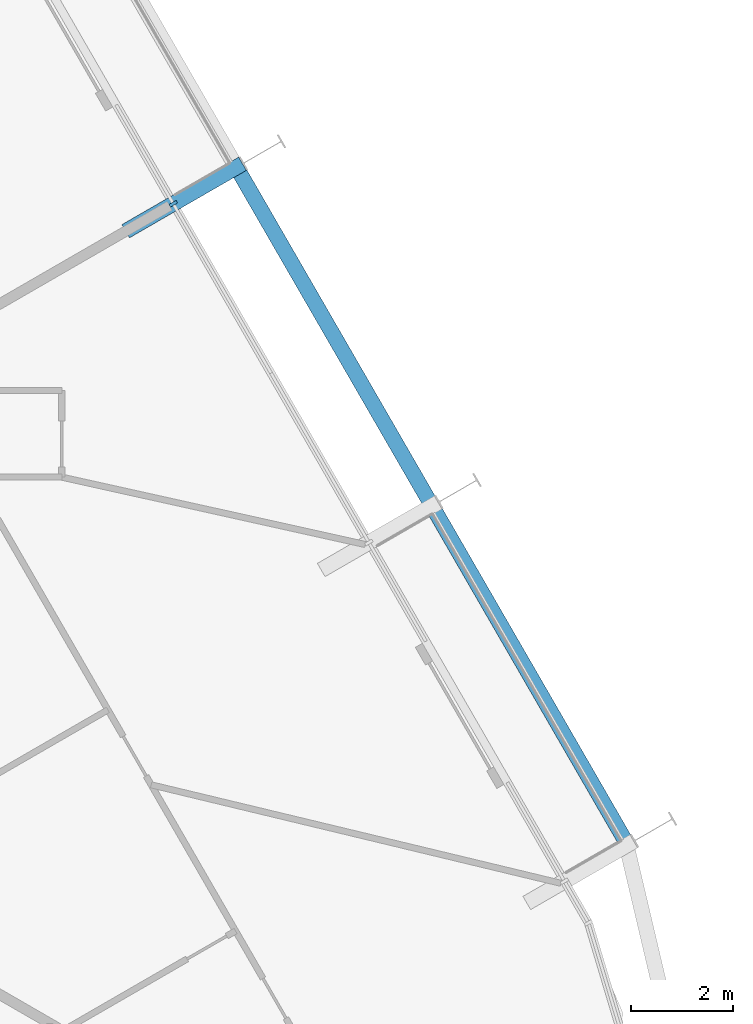
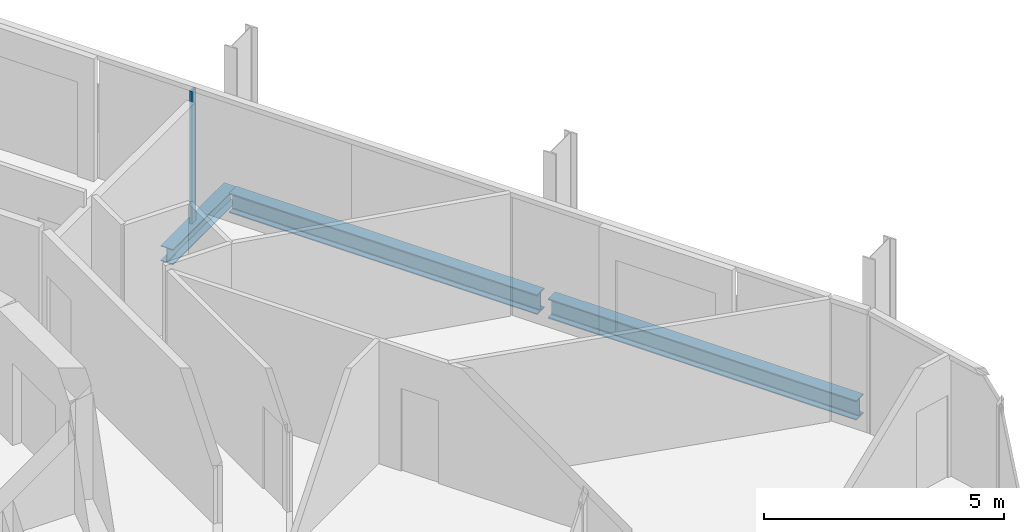
# One storey, part 8 of 21: 3 beams, 1 member, 1 element without a shape of its own.
"""IFC4 building model written with IfcOpenShell, lengths in metres."""

from ifc_helpers import new_model, si_unit, direction, frame, origin, origin_2d, place, context, subcontext, project, spatial, rectangle, i_section, extrude, material, layer, layer_set, material_profile, profile_set, type_object, element, aggregate, save


model = new_model("IFC4")

# Units and contexts
model_context = context("Model", 3, precision=1e-05, world=origin(), true_north=direction((0.0, 1.0)))
body_context = subcontext(model_context, "Body", "Model", "MODEL_VIEW")
ifc_project = project(units=[si_unit("LENGTHUNIT", "METRE"), si_unit("AREAUNIT", "SQUARE_METRE"), si_unit("VOLUMEUNIT", "CUBIC_METRE"), si_unit("PLANEANGLEUNIT", "RADIAN"), si_unit("MASSUNIT", "GRAM", prefix="KILO")], contexts=[model_context])

# Site, building, storey
site_placement = place(None, origin())
site = spatial("IfcSite", under=ifc_project, at=site_placement, CompositionType="ELEMENT")
building_placement = place(site_placement, origin())
building = spatial("IfcBuilding", under=site, at=building_placement, Name="Spindle Arch Residences", CompositionType="ELEMENT")
storey_placement = place(building_placement, frame((0.0, 0.0, 48.89990234375)))
storey = spatial("IfcBuildingStorey", under=building, at=storey_placement, Name="L10", CompositionType="ELEMENT", Elevation=48.89990234375)

# Curtain wall, member
ifc_material_1 = material(Name="Aluminium bronze unitised frame with tinted glass", Category="aluminium")
ifc_layer = layer(ifc_material_1, 0.159912109375)
ifc_layer_set = layer_set([ifc_layer], Name="CW-C typical residential unitised wall")
curtain_wall_type = type_object("IfcCurtainWallType", Name="CW-C typical residential unitised wall", PredefinedType="NOTDEFINED", material=ifc_layer_set)
curtain_wall_placement = place(storey_placement, origin())
curtain_wall = element("IfcCurtainWall", 1, at=curtain_wall_placement, inside=storey, type_object=curtain_wall_type, Name="CW-C L10 run 2", PredefinedType="NOTDEFINED")
ifc_material_2 = material(Name="Aluminium bronze anodised mullion", Category="aluminium")
ifc_material_profile_1 = material_profile(ifc_material_2, rectangle(XDim=0.159912109375, YDim=0.06005859375, at=origin_2d()), Name="MU 60x160")
ifc_profile_set_1 = profile_set([ifc_material_profile_1], Name="Aluminium bronze anodised mullion")
member_type = type_object("IfcMemberType", Name="Bronze mullion 60x160", PredefinedType="MULLION", material=ifc_profile_set_1)
member_placement = place(storey_placement, frame((18.9892578125, 6.529296875, -0.3798828125), z_axis=(0.0, 0.0, 1.0), x_axis=(-0.866025403784, -0.5, 0.0)))
member = element("IfcMember", 2, at=member_placement, type_object=member_type, Name="CW-C mullion 07", PredefinedType="MULLION", context=body_context, shape_type="SweptSolid", body=[
    extrude(rectangle(XDim=0.159912109375, YDim=0.06005859375, at=origin_2d()), origin(), (0.0, 0.0, 1.0), 3.3798828125),
])
aggregate(curtain_wall, [member])

# Beams
ifc_material_3 = material(Name="Steel S460ML, intumescent coating R 120", Category="steel")
ifc_material_profile_2 = material_profile(ifc_material_3, i_section(OverallWidth=0.300048828125, OverallDepth=0.5, WebThickness=0.014404296875, FlangeThickness=0.028076171875, FilletRadius=0.027099609375, at=origin_2d()), Name="HEB 500")
ifc_profile_set_2 = profile_set([ifc_material_profile_2], Name="Steel S460ML, intumescent coating R 120")
beam_type_1 = type_object("IfcBeamType", Name="Exoskeleton edge beam HEB 500", PredefinedType="BEAM", material=ifc_profile_set_2)
for number, where, z_axis, x_axis, name in (
    (3, (27.84521484375, -5.94384765625, -0.6298828125), (-0.49998923004, 0.866031621735, 0.0), (-0.866031621735, -0.49998923004, 0.0), "Exoskeleton edge beam 6"),
    (4, (24.00537109375, 0.707275390625, -0.6298828125), (-0.49998923004, 0.866031621735, 0.0), (-0.866031621735, -0.49998923004, 0.0), "Exoskeleton edge beam 7"),
):
    element("IfcBeam", number, at=place(storey_placement, frame(where, z_axis=z_axis, x_axis=x_axis)), inside=storey, type_object=beam_type_1, Name=name, PredefinedType="BEAM", context=body_context, shape_type="SweptSolid", body=[
        extrude(i_section(OverallWidth=0.300048828125, OverallDepth=0.5, WebThickness=0.014404296875, FlangeThickness=0.028076171875, FilletRadius=0.027099609375, at=origin_2d()), origin(), (0.0, 0.0, 1.0), 7.420166015625),
    ])
ifc_material_4 = material(Name="Steel S460ML, intumescent coating R 120", Category="steel")
ifc_material_profile_3 = material_profile(ifc_material_4, i_section(OverallWidth=0.300048828125, OverallDepth=0.389892578125, WebThickness=0.010986328125, FlangeThickness=0.01904296875, FilletRadius=0.027099609375, at=origin_2d()), Name="HEA 400")
ifc_profile_set_3 = profile_set([ifc_material_profile_3], Name="Steel S460ML, intumescent coating R 120")
beam_type_2 = type_object("IfcBeamType", Name="Floor outrigger HEA 400", PredefinedType="BEAM", material=ifc_profile_set_3)
beam_placement = place(storey_placement, frame((20.34912109375, 7.314453125, -0.574951171875), z_axis=(-0.866052124492, -0.499953715521, 0.0), x_axis=(0.499953715521, -0.866052124492, 0.0)))
element("IfcBeam", 5, at=beam_placement, inside=storey, type_object=beam_type_2, Name="Floor outrigger 8", PredefinedType="BEAM", context=body_context, shape_type="SweptSolid", body=[
    extrude(i_section(OverallWidth=0.300048828125, OverallDepth=0.389892578125, WebThickness=0.010986328125, FlangeThickness=0.01904296875, FilletRadius=0.027099609375, at=origin_2d()), origin(), (0.0, 0.0, 1.0), 2.650146484375),
])

save(model, "model.ifc")
